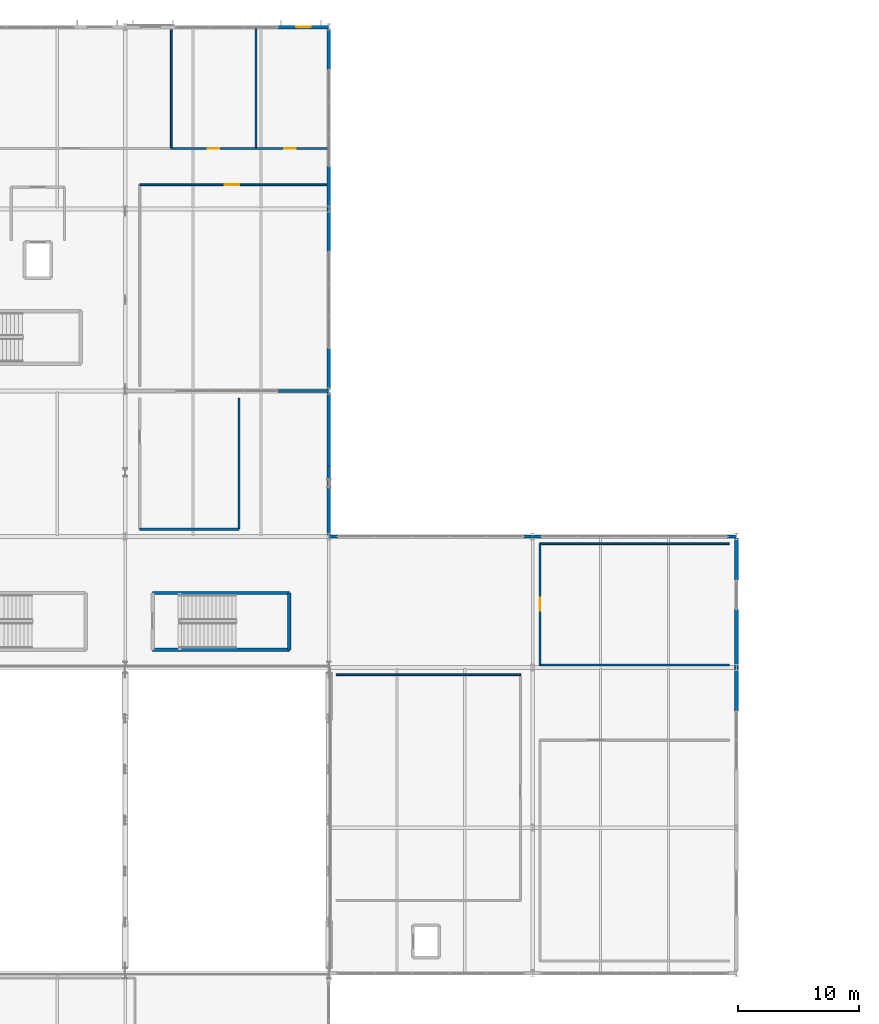
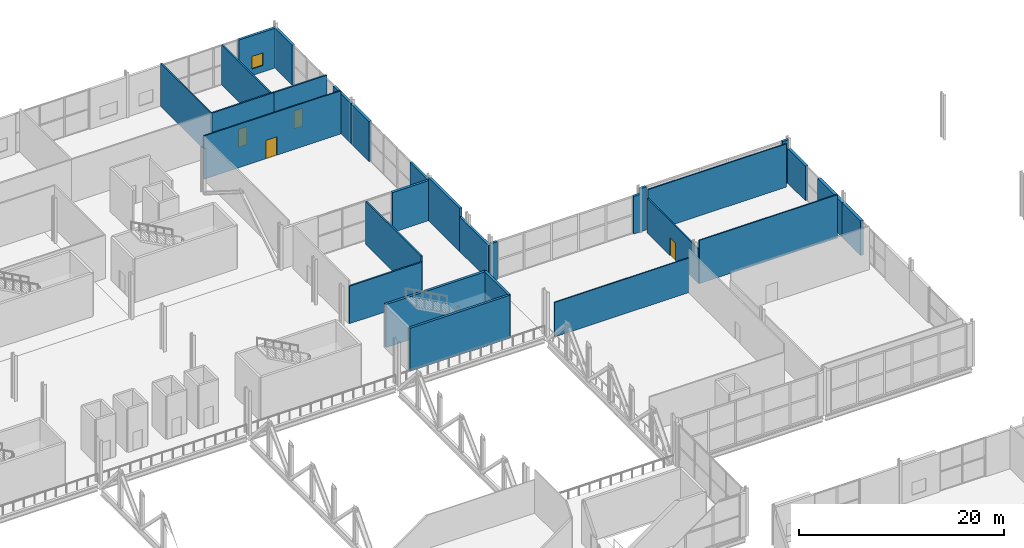
# One storey, part 68 of 84: 29 walls, 4 doors, 1 window, 5 openings.
"""IFC4 building model written with IfcOpenShell, lengths in metres."""

from ifc_helpers import new_model, si_unit, direction, frame, frame_2d, origin, place, context, subcontext, project, spatial, rectangle, extrude, material, layer, layer_set, type_object, element, fill, save


model = new_model("IFC4")

# Units and contexts
model_context = context("Model", 3, precision=1e-05, world=origin(), true_north=direction((0.0, 1.0)))
body_context = subcontext(model_context, "Body", "Model", "MODEL_VIEW")
ifc_project = project(units=[si_unit("LENGTHUNIT", "METRE"), si_unit("AREAUNIT", "SQUARE_METRE"), si_unit("VOLUMEUNIT", "CUBIC_METRE"), si_unit("PLANEANGLEUNIT", "RADIAN"), si_unit("MASSUNIT", "GRAM", prefix="KILO")], contexts=[model_context])

# Site, building, storey
site_placement = place(None, origin())
site = spatial("IfcSite", under=ifc_project, at=site_placement, CompositionType="ELEMENT")
building_placement = place(site_placement, origin())
building = spatial("IfcBuilding", under=site, at=building_placement, Name="Kimbaza Rail Terminus", CompositionType="ELEMENT")
storey_placement = place(building_placement, frame((0.0, 0.0, 5.39990234375)))
storey = spatial("IfcBuildingStorey", under=building, at=storey_placement, Name="L01", CompositionType="ELEMENT", Elevation=5.39990234375)

# Wall, opening, window
ifc_material_1 = material(Name="Precast concrete C40/50", Category="concrete")
ifc_layer_1 = layer(ifc_material_1, 0.280029296875)
ifc_layer_set_1 = layer_set([ifc_layer_1], Name="Precast concrete C40/50")
wall_type_1 = type_object("IfcWallType", Name="ARC-WL-EXT280", PredefinedType="STANDARD", material=ifc_layer_set_1)
wall_1_placement = place(storey_placement, frame((151.800048828125, 133.0, 0.0), z_axis=(0.0, 0.0, 1.0), x_axis=(1.0, 0.0, 0.0)))
wall_1 = element("IfcWall", 1, at=wall_1_placement, inside=storey, type_object=wall_type_1, Name="Operations North Pier L01 5B", PredefinedType="STANDARD", context=body_context, shape_type="SweptSolid", body=[
    extrude(rectangle(XDim=4.199951171875, YDim=0.280029296875, at=frame_2d((2.10009765625, 0.0))), origin(), (0.0, 0.0, 1.0), 4.76513671875),
])
opening_1_placement = place(wall_1_placement, frame((1.5, 0.0, 0.800048828125)))
opening_1 = element("IfcOpeningElement", 2, at=opening_1_placement, cuts=wall_1, Name="Opening W-19", PredefinedType="OPENING", context=body_context, shape_type="SweptSolid", body=[
    extrude(rectangle(XDim=1.199951171875, YDim=1.5, at=frame_2d((0.60009765625, 0.75))), frame((0.0, 0.14990234375, 0.0), z_axis=(0.0, -1.0, 0.0), x_axis=(1.0, 0.0, 0.0)), (0.0, 0.0, 1.0), 0.300048828125),
])
ifc_material_2 = material(Name="Thermally broken aluminium and solar low-E glass", Category="aluminium")
window_type = type_object("IfcWindowType", Name="ARC-WIN-W-19", PartitioningType="SINGLE_PANEL", PredefinedType="WINDOW", material=ifc_material_2)
window_placement = place(opening_1_placement, origin())
window = element("IfcWindow", 3, at=window_placement, inside=storey, type_object=window_type, Name="North Facade Window W-19", OverallHeight=1.5, OverallWidth=1.199951171875, PartitioningType="SINGLE_PANEL", PredefinedType="WINDOW", context=body_context, shape_type="SweptSolid", body=[
    extrude(rectangle(XDim=1.199951171875, YDim=1.5, at=frame_2d((0.60009765625, 0.75))), frame((0.0, 0.030029296875, 0.0), z_axis=(0.0, -1.0, 0.0), x_axis=(1.0, 0.0, 0.0)), (0.0, 0.0, 1.0), 0.06005859375),
])
fill(opening_1, window)

# Walls
wall_2_placement = place(storey_placement, frame((151.800048828125, 103.0, 0.0), z_axis=(0.0, 0.0, 1.0), x_axis=(1.0, 0.0, 0.0)))
element("IfcWall", 4, at=wall_2_placement, inside=storey, type_object=wall_type_1, Name="Operations South Wall L01 5B", PredefinedType="STANDARD", context=body_context, shape_type="SweptSolid", body=[
    extrude(rectangle(XDim=4.199951171875, YDim=0.280029296875, at=frame_2d((2.10009765625, 0.0))), origin(), (0.0, 0.0, 1.0), 4.76513671875),
])
wall_3_placement = place(storey_placement, frame((156.0, 103.139892578125, 0.0), z_axis=(0.0, 0.0, 1.0), x_axis=(0.0, 1.0, 0.0)))
element("IfcWall", 5, at=wall_3_placement, inside=storey, type_object=wall_type_1, Name="Operations E End Pier L01", PredefinedType="STANDARD", context=body_context, shape_type="SweptSolid", body=[
    extrude(rectangle(XDim=3.360107421875, YDim=0.280029296875, at=frame_2d((1.68017578125, 0.0))), origin(), (0.0, 0.0, 1.0), 4.76513671875),
])
for number, where, z_axis, x_axis, name in (
    (6, (156.0, 114.5, 0.0), (0.0, 0.0, 1.0), (0.0, 1.0, 0.0), "Operations E Corner Wall L01"),
    (7, (156.0, 118.0, 0.0), (0.0, 0.0, 1.0), (0.0, 1.0, 0.0), "Operations E End Pier L01"),
):
    element("IfcWall", number, at=place(storey_placement, frame(where, z_axis=z_axis, x_axis=x_axis)), inside=storey, type_object=wall_type_1, Name=name, PredefinedType="STANDARD", context=body_context, shape_type="SweptSolid", body=[
        extrude(rectangle(XDim=3.5, YDim=0.280029296875, at=frame_2d((1.75, 0.0))), origin(), (0.0, 0.0, 1.0), 4.76513671875),
    ])
wall_4_placement = place(storey_placement, frame((156.0, 129.5, 0.0), z_axis=(0.0, 0.0, 1.0), x_axis=(0.0, 1.0, 0.0)))
element("IfcWall", 8, at=wall_4_placement, inside=storey, type_object=wall_type_1, Name="Operations E Corner Wall L01", PredefinedType="STANDARD", context=body_context, shape_type="SweptSolid", body=[
    extrude(rectangle(XDim=3.360107421875, YDim=0.280029296875, at=frame_2d((1.68017578125, 0.0))), origin(), (0.0, 0.0, 1.0), 4.76513671875),
])
for number, where, z_axis, x_axis, name in (
    (9, (156.0, 91.0, 0.0), (0.0, 0.0, 1.0), (1.0, 0.0, 0.0), "Ticket Hall Wing E Curtain Wall L01.1 Corner Pier A"),
    (10, (172.080078125, 91.0, 0.0), (0.0, 0.0, 1.0), (1.0, 0.0, 0.0), "Ticket Hall Wing E Curtain Wall L01.1 Corner Pier B"),
):
    element("IfcWall", number, at=place(storey_placement, frame(where, z_axis=z_axis, x_axis=x_axis)), inside=storey, type_object=wall_type_1, Name=name, PredefinedType="STANDARD", context=body_context, shape_type="SweptSolid", body=[
        extrude(rectangle(XDim=0.719970703125, YDim=0.280029296875, at=frame_2d((0.35986328125, 0.0))), origin(), (0.0, 0.0, 1.0), 4.485107421875),
    ])
wall_5_placement = place(storey_placement, frame((172.800048828125, 91.0, 0.0), z_axis=(0.0, 0.0, 1.0), x_axis=(1.0, 0.0, 0.0)))
element("IfcWall", 11, at=wall_5_placement, inside=storey, type_object=wall_type_1, Name="Ticket Hall Wing E Curtain Wall L01.2 Corner Pier A", PredefinedType="STANDARD", context=body_context, shape_type="SweptSolid", body=[
    extrude(rectangle(XDim=0.719970703125, YDim=0.280029296875, at=frame_2d((0.35986328125, 0.0))), origin(), (0.0, 0.0, 1.0), 5.14013671875),
])
wall_6_placement = place(storey_placement, frame((188.8798828125, 91.0, 0.0), z_axis=(0.0, 0.0, 1.0), x_axis=(1.0, 0.0, 0.0)))
element("IfcWall", 12, at=wall_6_placement, inside=storey, type_object=wall_type_1, Name="Ticket Hall Wing E Curtain Wall L01.2 Corner Pier B", PredefinedType="STANDARD", context=body_context, shape_type="SweptSolid", body=[
    extrude(rectangle(XDim=0.72021484375, YDim=0.280029296875, at=frame_2d((0.360107421875, 0.0))), origin(), (0.0, 0.0, 1.0), 5.14013671875),
])
wall_7_placement = place(storey_placement, frame((156.0, 91.139892578125, 0.0), z_axis=(0.0, 0.0, 1.0), x_axis=(0.0, 1.0, 0.0)))
element("IfcWall", 13, at=wall_7_placement, inside=storey, type_object=wall_type_1, Name="Link Hall E Wall L01A", PredefinedType="STANDARD", context=body_context, shape_type="SweptSolid", body=[
    extrude(rectangle(XDim=5.66015625, YDim=0.280029296875, at=frame_2d((2.830078125, 0.0))), origin(), (0.0, 0.0, 1.0), 4.125),
])
wall_8_placement = place(storey_placement, frame((156.0, 96.800048828125, 0.0), z_axis=(0.0, 0.0, 1.0), x_axis=(0.0, 1.0, 0.0)))
element("IfcWall", 14, at=wall_8_placement, inside=storey, type_object=wall_type_1, Name="Link Hall E Wall L01B", PredefinedType="STANDARD", context=body_context, shape_type="SweptSolid", body=[
    extrude(rectangle(XDim=6.06005859375, YDim=0.280029296875, at=frame_2d((3.030029296875, 0.0))), origin(), (0.0, 0.0, 1.0), 5.14013671875),
])
ifc_material_3 = material(Name="Precast concrete C40/50", Category="concrete")
ifc_layer_2 = layer(ifc_material_3, 0.320068359375)
ifc_layer_set_2 = layer_set([ifc_layer_2], Name="Precast concrete C40/50")
wall_type_2 = type_object("IfcWallType", Name="ARC-WL-EXT320", PredefinedType="STANDARD", material=ifc_layer_set_2)
wall_9_placement = place(storey_placement, frame((189.60009765625, 76.60009765625, 0.0), z_axis=(0.0, 0.0, 1.0), x_axis=(0.0, 1.0, 0.0)))
element("IfcWall", 15, at=wall_9_placement, inside=storey, type_object=wall_type_2, Name="Ticket Hall E Pier L01.2", PredefinedType="STANDARD", context=body_context, shape_type="SweptSolid", body=[
    extrude(rectangle(XDim=3.599853515625, YDim=0.320068359375, at=frame_2d((1.7998046875, 0.0))), origin(), (0.0, 0.0, 1.0), 4.125),
])
wall_10_placement = place(storey_placement, frame((189.60009765625, 80.199951171875, 0.0), z_axis=(0.0, 0.0, 1.0), x_axis=(0.0, 1.0, 0.0)))
element("IfcWall", 16, at=wall_10_placement, inside=storey, type_object=wall_type_2, Name="Ticket Hall E Flank Wall L01.3", PredefinedType="STANDARD", context=body_context, shape_type="SweptSolid", body=[
    extrude(rectangle(XDim=4.800048828125, YDim=0.320068359375, at=frame_2d((2.39990234375, 0.0))), origin(), (0.0, 0.0, 1.0), 4.125),
])
wall_11_placement = place(storey_placement, frame((189.60009765625, 87.39990234375, 0.0), z_axis=(0.0, 0.0, 1.0), x_axis=(0.0, 1.0, 0.0)))
element("IfcWall", 17, at=wall_11_placement, inside=storey, type_object=wall_type_2, Name="Ticket Hall E Pier L01.3", PredefinedType="STANDARD", context=body_context, shape_type="SweptSolid", body=[
    extrude(rectangle(XDim=3.460205078125, YDim=0.320068359375, at=frame_2d((1.72998046875, 0.0))), origin(), (0.0, 0.0, 1.0), 4.125),
])
ifc_material_4 = material(Name="Acoustic gypsum stud partition", Category="gypsum")
ifc_layer_3 = layer(ifc_material_4, 0.1298828125)
ifc_layer_set_3 = layer_set([ifc_layer_3], Name="Acoustic gypsum stud partition")
wall_type_3 = type_object("IfcWallType", Name="ARC-WL-PART130", PredefinedType="PARTITIONING", material=ifc_layer_set_3)
wall_12_placement = place(storey_placement, frame((171.800048828125, 79.60009765625, 0.0), z_axis=(0.0, 0.0, 1.0), x_axis=(-1.0, 0.0, 0.0)))
element("IfcWall", 18, at=wall_12_placement, inside=storey, type_object=wall_type_3, Name="East Mezzanine Rail Ticketing Salon Partition (north)", PredefinedType="PARTITIONING", context=body_context, shape_type="SweptSolid", body=[
    extrude(rectangle(XDim=15.199951171875, YDim=0.1298828125, at=frame_2d((7.60009765625, 0.0))), origin(), (0.0, 0.0, 1.0), 4.125),
])

# Wall, opening, door
ifc_material_5 = material(Name="Acoustic gypsum stud partition", Category="gypsum")
ifc_layer_4 = layer(ifc_material_5, 0.139892578125)
ifc_layer_set_4 = layer_set([ifc_layer_4], Name="Acoustic gypsum stud partition")
wall_type_4 = type_object("IfcWallType", Name="ARC-WL-PART140", PredefinedType="PARTITIONING", material=ifc_layer_set_4)
wall_13_placement = place(storey_placement, frame((155.860107421875, 120.0, 0.0), z_axis=(0.0, 0.0, 1.0), x_axis=(-1.0, 0.0, 0.0)))
wall_13 = element("IfcWall", 19, at=wall_13_placement, inside=storey, type_object=wall_type_4, Name="L01 East Telecoms Technical Office Partition (north)", PredefinedType="PARTITIONING", context=body_context, shape_type="SweptSolid", body=[
    extrude(rectangle(XDim=15.460205078125, YDim=0.139892578125, at=frame_2d((7.72998046875, 0.0))), origin(), (0.0, 0.0, 1.0), 5.16015625),
])
opening_2_placement = place(wall_13_placement, frame((7.260009765625, 0.0, 0.0)))
opening_2 = element("IfcOpeningElement", 20, at=opening_2_placement, cuts=wall_13, Name="Opening ID-03", PredefinedType="OPENING", context=body_context, shape_type="SweptSolid", body=[
    extrude(rectangle(XDim=1.199951171875, YDim=2.199951171875, at=frame_2d((0.60009765625, 1.10009765625))), frame((0.0, 0.079833984375, 0.0), z_axis=(0.0, -1.0, 0.0), x_axis=(1.0, 0.0, 0.0)), (0.0, 0.0, 1.0), 0.159912109375),
])
ifc_material_6 = material(Name="Hardwood veneer acoustic room door", Category="wood")
door_type_1 = type_object("IfcDoorType", Name="ARC-DR-ID120", OperationType="NOTDEFINED", PredefinedType="DOOR", material=ifc_material_6)
door_1_placement = place(opening_2_placement, origin())
door_1 = element("IfcDoor", 21, at=door_1_placement, inside=storey, type_object=door_type_1, Name="IDR-SPC-V5S-L01-5", OperationType="SINGLE_SWING_RIGHT", OverallHeight=2.199951171875, OverallWidth=1.199951171875, PredefinedType="DOOR", context=body_context, shape_type="SweptSolid", body=[
    extrude(rectangle(XDim=1.199951171875, YDim=2.199951171875, at=frame_2d((0.60009765625, 1.10009765625))), frame((0.0, 0.02490234375, 0.0), z_axis=(0.0, -1.0, 0.0), x_axis=(1.0, 0.0, 0.0)), (0.0, 0.0, 1.0), 0.050048828125),
])
fill(opening_2, door_1)

# Walls
for number, where, z_axis, x_axis, name in (
    (22, (173.39990234375, 80.39990234375, 0.0), (0.0, 0.0, 1.0), (1.0, 0.0, 0.0), "Multi-Faith Quiet Reflection Suite Partition (south)"),
    (23, (189.0, 90.39990234375, 0.0), (0.0, 0.0, 1.0), (-1.0, 0.0, 0.0), "Multi-Faith Quiet Reflection Suite Partition (north)"),
):
    element("IfcWall", number, at=place(storey_placement, frame(where, z_axis=z_axis, x_axis=x_axis)), inside=storey, type_object=wall_type_4, Name=name, PredefinedType="PARTITIONING", context=body_context, shape_type="SweptSolid", body=[
        extrude(rectangle(XDim=15.60009765625, YDim=0.139892578125, at=frame_2d((7.800048828125, 0.0))), origin(), (0.0, 0.0, 1.0), 5.16015625),
    ])

# Wall, opening, door
wall_14_placement = place(storey_placement, frame((173.39990234375, 90.39990234375, 0.0), z_axis=(0.0, 0.0, 1.0), x_axis=(0.0, -1.0, 0.0)))
wall_14 = element("IfcWall", 24, at=wall_14_placement, inside=storey, type_object=wall_type_4, Name="Multi-Faith Quiet Reflection Suite Partition (west)", PredefinedType="PARTITIONING", context=body_context, shape_type="SweptSolid", body=[
    extrude(rectangle(XDim=10.0, YDim=0.139892578125, at=frame_2d((5.0, 0.0))), origin(), (0.0, 0.0, 1.0), 4.125),
])
opening_3_placement = place(wall_14_placement, frame((4.4599609375, 0.0, 0.0)))
opening_3 = element("IfcOpeningElement", 25, at=opening_3_placement, cuts=wall_14, Name="Opening ID-09", PredefinedType="OPENING", context=body_context, shape_type="SweptSolid", body=[
    extrude(rectangle(XDim=1.080078125, YDim=2.10009765625, at=frame_2d((0.5400390625, 1.050048828125))), frame((0.0, 0.079833984375, 0.0), z_axis=(0.0, -1.0, 0.0), x_axis=(1.0, 0.0, 0.0)), (0.0, 0.0, 1.0), 0.159912109375),
])
ifc_material_7 = material(Name="Signalling technical suite door", Category="steel")
door_type_2 = type_object("IfcDoorType", Name="ARC-DR-ID108", OperationType="NOTDEFINED", PredefinedType="DOOR", material=ifc_material_7)
door_2_placement = place(opening_3_placement, origin())
door_2 = element("IfcDoor", 26, at=door_2_placement, inside=storey, type_object=door_type_2, Name="IDR-SPC-L01-PRAY", OperationType="SINGLE_SWING_RIGHT", OverallHeight=2.10009765625, OverallWidth=1.080078125, PredefinedType="DOOR", context=body_context, shape_type="SweptSolid", body=[
    extrude(rectangle(XDim=1.080078125, YDim=2.10009765625, at=frame_2d((0.5400390625, 1.050048828125))), frame((0.0, 0.02490234375, 0.0), z_axis=(0.0, -1.0, 0.0), x_axis=(1.0, 0.0, 0.0)), (0.0, 0.0, 1.0), 0.050048828125),
])
fill(opening_3, door_2)

# Wall
ifc_material_8 = material(Name="Acoustic gypsum stud partition", Category="gypsum")
ifc_layer_5 = layer(ifc_material_8, 0.14990234375)
ifc_layer_set_5 = layer_set([ifc_layer_5], Name="Acoustic gypsum stud partition")
wall_type_5 = type_object("IfcWallType", Name="ARC-WL-PART150", PredefinedType="PARTITIONING", material=ifc_layer_set_5)
wall_15_placement = place(storey_placement, frame((143.0, 123.0, 0.0), z_axis=(0.0, 0.0, 1.0), x_axis=(0.0, 1.0, 0.0)))
element("IfcWall", 27, at=wall_15_placement, inside=storey, type_object=wall_type_5, Name="Crew Mess Pantry and Dining Lounge Partition (east)", PredefinedType="PARTITIONING", context=body_context, shape_type="SweptSolid", body=[
    extrude(rectangle(XDim=9.800048828125, YDim=0.14990234375, at=frame_2d((4.89990234375, 0.0))), origin(), (0.0, 0.0, 1.0), 5.16015625),
])

# Wall, opening, door
ifc_material_9 = material(Name="Moisture-resistant blockwork C25/30", Category="masonry")
ifc_layer_6 = layer(ifc_material_9, 0.169921875)
ifc_layer_set_6 = layer_set([ifc_layer_6], Name="Moisture-resistant blockwork C25/30")
wall_type_6 = type_object("IfcWallType", Name="ARC-WL-PLMB170", PredefinedType="PLUMBINGWALL", material=ifc_layer_set_6)
wall_16_placement = place(storey_placement, frame((143.0, 123.0, 0.0), z_axis=(0.0, 0.0, 1.0), x_axis=(1.0, 0.0, 0.0)))
wall_16 = element("IfcWall", 28, at=wall_16_placement, inside=storey, type_object=wall_type_6, Name="Crew Shower and Changing WC Partition (south)", PredefinedType="PLUMBINGWALL", context=body_context, shape_type="SweptSolid", body=[
    extrude(rectangle(XDim=7.0, YDim=0.169921875, at=frame_2d((3.5, 0.0))), origin(), (0.0, 0.0, 1.0), 5.16015625),
])
opening_4_placement = place(wall_16_placement, frame((3.02490234375, 0.0, 0.0)))
opening_4 = element("IfcOpeningElement", 29, at=opening_4_placement, cuts=wall_16, Name="Opening ID-06", PredefinedType="OPENING", context=body_context, shape_type="SweptSolid", body=[
    extrude(rectangle(XDim=0.949951171875, YDim=2.14990234375, at=frame_2d((0.47509765625, 1.074951171875))), frame((0.0, 0.094970703125, 0.0), z_axis=(0.0, -1.0, 0.0), x_axis=(1.0, 0.0, 0.0)), (0.0, 0.0, 1.0), 0.18994140625),
])
ifc_material_10 = material(Name="Accessible washroom outward-capable door", Category="wood")
door_type_3 = type_object("IfcDoorType", Name="ARC-DR-ID095", OperationType="NOTDEFINED", PredefinedType="DOOR", material=ifc_material_10)
door_3_placement = place(opening_4_placement, origin())
door_3 = element("IfcDoor", 30, at=door_3_placement, inside=storey, type_object=door_type_3, Name="IDR-SPC-V5N-L01-07", OperationType="SINGLE_SWING_RIGHT", OverallHeight=2.14990234375, OverallWidth=0.949951171875, PredefinedType="DOOR", context=body_context, shape_type="SweptSolid", body=[
    extrude(rectangle(XDim=0.949951171875, YDim=2.14990234375, at=frame_2d((0.47509765625, 1.074951171875))), frame((0.0, 0.02490234375, 0.0), z_axis=(0.0, -1.0, 0.0), x_axis=(1.0, 0.0, 0.0)), (0.0, 0.0, 1.0), 0.050048828125),
])
fill(opening_4, door_3)

# Wall
wall_17_placement = place(storey_placement, frame((150.0, 123.0, 0.0), z_axis=(0.0, 0.0, 1.0), x_axis=(0.0, 1.0, 0.0)))
element("IfcWall", 31, at=wall_17_placement, inside=storey, type_object=wall_type_6, Name="Crew Shower and Changing WC Partition (east)", PredefinedType="PLUMBINGWALL", context=body_context, shape_type="SweptSolid", body=[
    extrude(rectangle(XDim=9.97998046875, YDim=0.169921875, at=frame_2d((4.989990234375, 0.0))), origin(), (0.0, 0.0, 1.0), 4.795166015625),
])

# Wall, opening, door
wall_18_placement = place(storey_placement, frame((150.0, 123.0, 0.0), z_axis=(0.0, 0.0, 1.0), x_axis=(1.0, 0.0, 0.0)))
wall_18 = element("IfcWall", 32, at=wall_18_placement, inside=storey, type_object=wall_type_6, Name="Crew Accessible WC Partition (south)", PredefinedType="PLUMBINGWALL", context=body_context, shape_type="SweptSolid", body=[
    extrude(rectangle(XDim=5.97998046875, YDim=0.169921875, at=frame_2d((2.989990234375, 0.0))), origin(), (0.0, 0.0, 1.0), 5.16015625),
])
opening_5_placement = place(wall_18_placement, frame((3.27490234375, 0.0, 0.0), z_axis=(0.0, 0.0, 1.0), x_axis=(-1.0, 0.0, 0.0)))
opening_5 = element("IfcOpeningElement", 33, at=opening_5_placement, cuts=wall_18, Name="Opening ID-06", PredefinedType="OPENING", context=body_context, shape_type="SweptSolid", body=[
    extrude(rectangle(XDim=0.949951171875, YDim=2.14990234375, at=frame_2d((0.47509765625, 1.074951171875))), frame((0.0, 0.094970703125, 0.0), z_axis=(0.0, -1.0, 0.0), x_axis=(1.0, 0.0, 0.0)), (0.0, 0.0, 1.0), 0.18994140625),
])
door_4_placement = place(opening_5_placement, origin())
door_4 = element("IfcDoor", 34, at=door_4_placement, inside=storey, type_object=door_type_3, Name="IDR-SPC-V5N-L01-08", OperationType="SINGLE_SWING_LEFT", OverallHeight=2.14990234375, OverallWidth=0.949951171875, PredefinedType="DOOR", context=body_context, shape_type="SweptSolid", body=[
    extrude(rectangle(XDim=0.949951171875, YDim=2.14990234375, at=frame_2d((0.47509765625, 1.074951171875))), frame((0.0, 0.02490234375, 0.0), z_axis=(0.0, -1.0, 0.0), x_axis=(1.0, 0.0, 0.0)), (0.0, 0.0, 1.0), 0.050048828125),
])
fill(opening_5, door_4)

# Walls
wall_19_placement = place(storey_placement, frame((140.39990234375, 91.60009765625, 0.0), z_axis=(0.0, 0.0, 1.0), x_axis=(1.0, 0.0, 0.0)))
element("IfcWall", 35, at=wall_19_placement, inside=storey, type_object=wall_type_6, Name="Mezzanine Accessible WC Partition (south)", PredefinedType="PLUMBINGWALL", context=body_context, shape_type="SweptSolid", body=[
    extrude(rectangle(XDim=8.2001953125, YDim=0.169921875, at=frame_2d((4.10009765625, 0.0))), origin(), (0.0, 0.0, 1.0), 4.485107421875),
])
wall_20_placement = place(storey_placement, frame((148.60009765625, 91.60009765625, 0.0), z_axis=(0.0, 0.0, 1.0), x_axis=(0.0, 1.0, 0.0)))
element("IfcWall", 36, at=wall_20_placement, inside=storey, type_object=wall_type_6, Name="Mezzanine Accessible WC Partition (east)", PredefinedType="PLUMBINGWALL", context=body_context, shape_type="SweptSolid", body=[
    extrude(rectangle(XDim=10.7998046875, YDim=0.169921875, at=frame_2d((5.39990234375, 0.0))), origin(), (0.0, 0.0, 1.0), 5.16015625),
])
ifc_material_11 = material(Name="Concrete C40/50", Category="concrete")
ifc_layer_7 = layer(ifc_material_11, 0.280029296875)
ifc_layer_set_7 = layer_set([ifc_layer_7], Name="Concrete C40/50")
wall_type_7 = type_object("IfcWallType", Name="STR-WL-CORE280", PredefinedType="SHEAR", material=ifc_layer_set_7)
wall_21_placement = place(storey_placement, frame((141.4599609375, 81.659912109375, 0.0), z_axis=(0.0, 0.0, 1.0), x_axis=(1.0, 0.0, 0.0)))
element("IfcWall", 37, at=wall_21_placement, inside=storey, type_object=wall_type_7, Name="Platform East Concourse Stair Shaft Wall L01-1", PredefinedType="SHEAR", context=body_context, shape_type="SweptSolid", body=[
    extrude(rectangle(XDim=11.280029296875, YDim=0.280029296875, at=frame_2d((5.64013671875, 0.0))), origin(), (0.0, 0.0, 1.0), 5.14013671875),
])
wall_22_placement = place(storey_placement, frame((152.739990234375, 81.659912109375, 0.0), z_axis=(0.0, 0.0, 1.0), x_axis=(0.0, 1.0, 0.0)))
element("IfcWall", 38, at=wall_22_placement, inside=storey, type_object=wall_type_7, Name="Platform East Concourse Stair Shaft Wall L01-2", PredefinedType="SHEAR", context=body_context, shape_type="SweptSolid", body=[
    extrude(rectangle(XDim=4.68017578125, YDim=0.280029296875, at=frame_2d((2.340087890625, 0.0))), origin(), (0.0, 0.0, 1.0), 5.14013671875),
])
wall_23_placement = place(storey_placement, frame((152.739990234375, 86.340087890625, 0.0), z_axis=(0.0, 0.0, 1.0), x_axis=(-1.0, 0.0, 0.0)))
element("IfcWall", 39, at=wall_23_placement, inside=storey, type_object=wall_type_7, Name="Platform East Concourse Stair Shaft Wall L01-3", PredefinedType="SHEAR", context=body_context, shape_type="SweptSolid", body=[
    extrude(rectangle(XDim=11.280029296875, YDim=0.280029296875, at=frame_2d((5.64013671875, 0.0))), origin(), (0.0, 0.0, 1.0), 5.14013671875),
])

save(model, "model.ifc")
